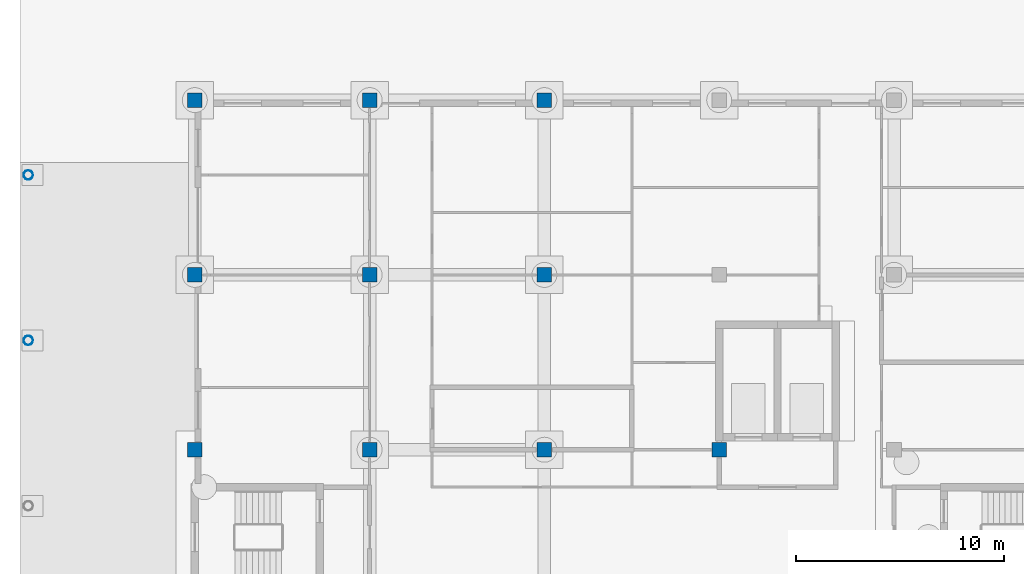
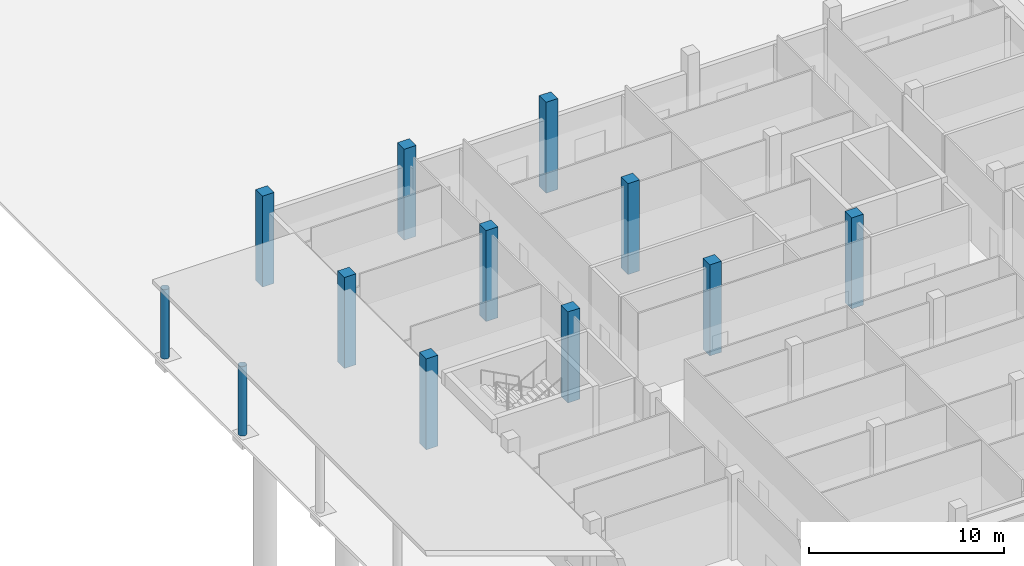
# One storey, part 13 of 146: 12 columns.
"""IFC4 building model written with IfcOpenShell, lengths in metres."""

from ifc_helpers import new_model, si_unit, direction, frame, origin, origin_2d, place, context, subcontext, project, spatial, rectangle, hollow_circle, extrude, material, material_profile, profile_set, type_object, element, save


model = new_model("IFC4")

# Units and contexts
model_context = context("Model", 3, precision=1e-05, world=origin(), true_north=direction((0.0, 1.0)))
body_context = subcontext(model_context, "Body", "Model", "MODEL_VIEW")
ifc_project = project(units=[si_unit("LENGTHUNIT", "METRE"), si_unit("AREAUNIT", "SQUARE_METRE"), si_unit("VOLUMEUNIT", "CUBIC_METRE"), si_unit("PLANEANGLEUNIT", "RADIAN"), si_unit("MASSUNIT", "GRAM", prefix="KILO")], contexts=[model_context])

# Site, building, storey
site_placement = place(None, origin())
site = spatial("IfcSite", under=ifc_project, at=site_placement, CompositionType="ELEMENT")
building_placement = place(site_placement, origin())
building = spatial("IfcBuilding", under=site, at=building_placement, Name="Bougainvillea Quay General Hospital", CompositionType="ELEMENT")
storey_placement = place(building_placement, origin())
storey = spatial("IfcBuildingStorey", under=building, at=storey_placement, Name="L00", CompositionType="ELEMENT", Elevation=0.0)

# Columns
ifc_material_1 = material(Name="Structural steel Q355 hollow section", Category="steel")
ifc_material_profile_1 = material_profile(ifc_material_1, hollow_circle(Radius=0.22509765625, WallThickness=0.011962890625, at=origin_2d()))
ifc_profile_set_1 = profile_set([ifc_material_profile_1], Name="Structural steel Q355 hollow section")
column_type_1 = type_object("IfcColumnType", Name="Canopy post CHS 450", PredefinedType="COLUMN", material=ifc_profile_set_1)
for number, where, z_axis, x_axis, name in (
    (1, (0.39990234375, 64.050048828125, 0.0), (0.0, 0.0, 1.0), (1.0, 0.0, 0.0), "Canopy post post 4"),
    (2, (0.39990234375, 72.0, 0.0), (0.0, 0.0, 1.0), (1.0, 0.0, 0.0), "Canopy post post 5"),
):
    element("IfcColumn", number, at=place(storey_placement, frame(where, z_axis=z_axis, x_axis=x_axis)), inside=storey, type_object=column_type_1, Name=name, PredefinedType="COLUMN", context=body_context, shape_type="SweptSolid", body=[
        extrude(hollow_circle(Radius=0.22509765625, WallThickness=0.011962890625, at=origin_2d()), origin(), (0.0, 0.0, 1.0), 4.35009765625),
    ])
ifc_material_2 = material(Name="Concrete C50", Category="concrete")
ifc_material_profile_2 = material_profile(ifc_material_2, rectangle(XDim=0.699951171875, YDim=0.699951171875, at=origin_2d()))
ifc_profile_set_2 = profile_set([ifc_material_profile_2], Name="Concrete C50")
column_type_2 = type_object("IfcColumnType", Name="RC COL 700x700 C50", PredefinedType="COLUMN", material=ifc_profile_set_2)
for number, where, z_axis, x_axis, name in (
    (3, (8.39990234375, 58.800048828125, -0.300048828125), (0.0, 0.0, 1.0), (1.0, 0.0, 0.0), "Column C-V2-03 L00"),
    (4, (8.39990234375, 67.199951171875, -0.300048828125), (0.0, 0.0, 1.0), (1.0, 0.0, 0.0), "Column C-V2-04 L00"),
    (5, (8.39990234375, 75.60009765625, -0.300048828125), (0.0, 0.0, 1.0), (1.0, 0.0, 0.0), "Column C-V2-05 L00"),
    (6, (16.800048828125, 58.800048828125, -0.300048828125), (0.0, 0.0, 1.0), (1.0, 0.0, 0.0), "Column C-V2-13 L00"),
    (7, (16.800048828125, 67.199951171875, -0.300048828125), (0.0, 0.0, 1.0), (1.0, 0.0, 0.0), "Column C-V2-14 L00"),
    (8, (16.800048828125, 75.60009765625, -0.300048828125), (0.0, 0.0, 1.0), (1.0, 0.0, 0.0), "Column C-V2-15 L00"),
    (9, (25.199951171875, 58.800048828125, -0.300048828125), (0.0, 0.0, 1.0), (1.0, 0.0, 0.0), "Column C-V2-23 L00"),
    (10, (25.199951171875, 67.199951171875, -0.300048828125), (0.0, 0.0, 1.0), (1.0, 0.0, 0.0), "Column C-V2-24 L00"),
    (11, (25.199951171875, 75.60009765625, -0.300048828125), (0.0, 0.0, 1.0), (1.0, 0.0, 0.0), "Column C-V2-25 L00"),
    (12, (33.60009765625, 58.800048828125, -0.300048828125), (0.0, 0.0, 1.0), (1.0, 0.0, 0.0), "Column C-V2-33 L00"),
):
    element("IfcColumn", number, at=place(storey_placement, frame(where, z_axis=z_axis, x_axis=x_axis)), inside=storey, type_object=column_type_2, Name=name, PredefinedType="COLUMN", context=body_context, shape_type="SweptSolid", body=[
        extrude(rectangle(XDim=0.699951171875, YDim=0.699951171875, at=origin_2d()), origin(), (0.0, 0.0, 1.0), 5.699951171875),
    ])

save(model, "model.ifc")
